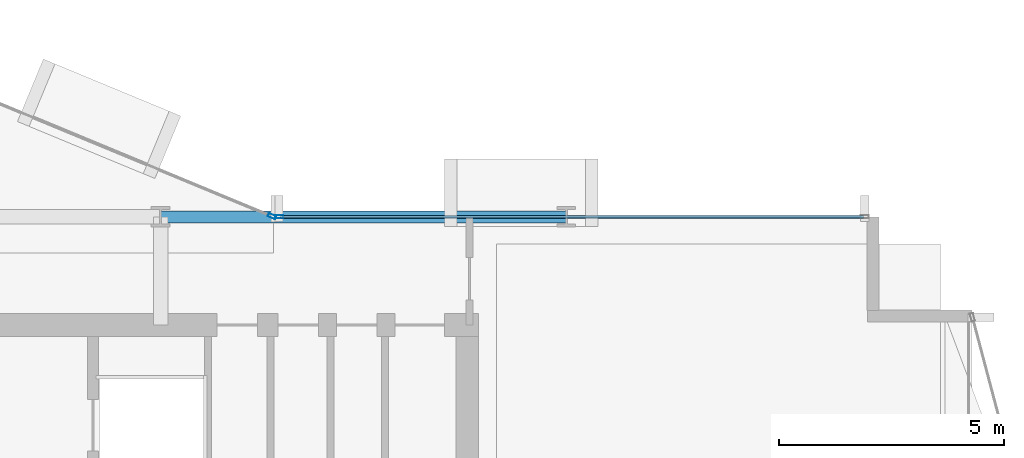
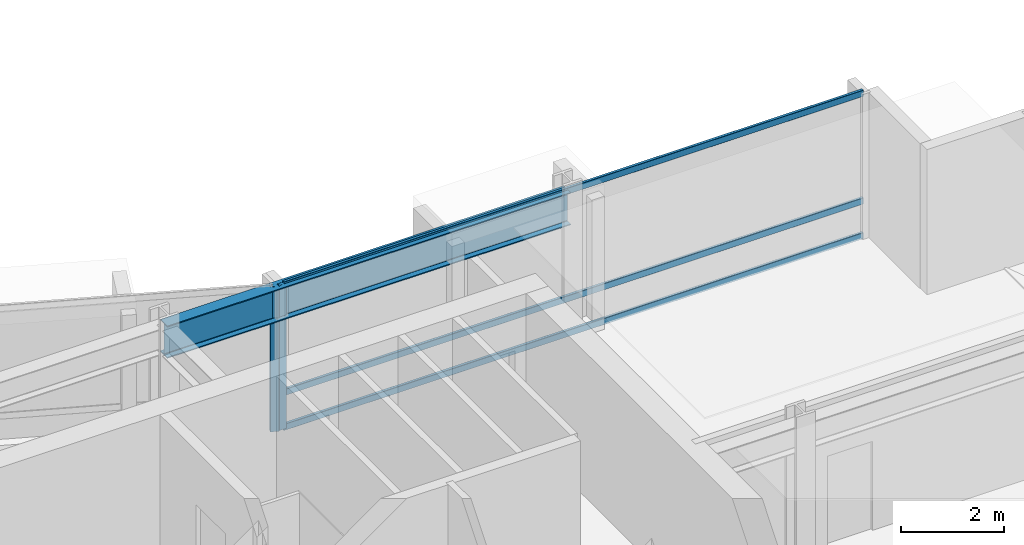
# One storey, part 13 of 28: 5 members, 1 beam, 2 elements without a shape of their own.
"""IFC4 building model written with IfcOpenShell, lengths in metres."""

import ifcopenshell
import ifcopenshell.guid

model = None  # the IFC model being written
_history = None  # IfcOwnerHistory: only IFC2X3 demands one
_inside = {}  # id of a spatial element -> (the spatial element, [elements in it])
_under = {}  # id of a project, library or spatial element -> (it, [spatial elements below it])
_declared = {}  # id of a project -> (the project, [libraries it declares])
_typed = {}  # id of a type object -> (the type object, [elements of that type])
_made_of = {}  # id of a material, layer set ... -> (it, [elements and type objects made of it])


def new_model(schema):
    """Start an empty IFC model of exactly this schema.

    Asked for "IFC4X3", IfcOpenShell would pick the latest addendum, in which some entities
    have other attributes; the version numbers below select the first issue.
    IFC2X3 requires an IfcOwnerHistory on every rooted entity: one is made here for all.
    """
    global model, _history
    if schema == "IFC4X3":
        model = ifcopenshell.file(schema_version=(4, 3, 0, 0))
    else:
        model = ifcopenshell.file(schema=schema)
    _inside.clear()
    _under.clear()
    _declared.clear()
    _typed.clear()
    _made_of.clear()
    _history = None
    if model.schema == "IFC2X3":
        org = make("IfcOrganization", Name="unknown")
        user = make(
            "IfcPersonAndOrganization",
            ThePerson=make("IfcPerson", FamilyName="unknown"),
            TheOrganization=org,
        )
        app = make(
            "IfcApplication",
            ApplicationDeveloper=org,
            Version="unknown",
            ApplicationFullName="unknown",
            ApplicationIdentifier="unknown",
        )
        _history = make(
            "IfcOwnerHistory",
            OwningUser=user,
            OwningApplication=app,
            ChangeAction="ADDED",
            CreationDate=0,
        )
    return model


def make(cls, **values):
    """One entity of the class cls with the attributes given. An attribute that is None is left unset."""
    return model.create_entity(
        cls, **{name: value for name, value in values.items() if value is not None}
    )


def rooted(cls, **values):
    """An entity with a GlobalId (a new one), such as an element, a storey or a relation."""
    return make(cls, GlobalId=ifcopenshell.guid.new(), OwnerHistory=_history, **values)


def si_unit(unit_type, name, prefix=None):
    """IfcSIUnit, for example si_unit("LENGTHUNIT", "METRE", prefix="MILLI")."""
    return make("IfcSIUnit", UnitType=unit_type, Prefix=prefix, Name=name)


def assignment(units):
    """IfcUnitAssignment: the units of a project."""
    return None if units is None else make("IfcUnitAssignment", Units=units)


def point(xyz):
    """IfcCartesianPoint."""
    return None if xyz is None else make("IfcCartesianPoint", Coordinates=xyz)


def direction(xyz):
    """IfcDirection."""
    return None if xyz is None else make("IfcDirection", DirectionRatios=xyz)


def frame(location, z_axis=None, x_axis=None):
    """IfcAxis2Placement3D, a coordinate frame: its origin and axes. An axis left out is left unset."""
    return make(
        "IfcAxis2Placement3D",
        Location=point(location),
        Axis=direction(z_axis),
        RefDirection=direction(x_axis),
    )


def frame_2d(location, x_axis=None):
    """IfcAxis2Placement2D, a coordinate frame in the plane: its origin and x axis."""
    return make(
        "IfcAxis2Placement2D", Location=point(location), RefDirection=direction(x_axis)
    )


def origin():
    """The frame at (0, 0, 0) with its axes left unset."""
    return frame((0.0, 0.0, 0.0))


def origin_2d():
    """The frame at (0, 0) in the plane with its x axis left unset."""
    return frame_2d((0.0, 0.0))


def place(relative_to, where):
    """IfcLocalPlacement: puts the frame where relative to a parent placement (None: the world)."""
    return make(
        "IfcLocalPlacement", PlacementRelTo=relative_to, RelativePlacement=where
    )


def context(
    kind, dimensions, precision=None, world=None, true_north=None, identifier=None
):
    """IfcGeometricRepresentationContext, for example the 3D "Model" context."""
    return make(
        "IfcGeometricRepresentationContext",
        ContextIdentifier=identifier,
        ContextType=kind,
        CoordinateSpaceDimension=dimensions,
        Precision=precision,
        WorldCoordinateSystem=world,
        TrueNorth=true_north,
    )


def subcontext(parent, identifier, kind, view, scale=None):
    """IfcGeometricRepresentationSubContext, for example "Body" below "Model"."""
    return make(
        "IfcGeometricRepresentationSubContext",
        ContextIdentifier=identifier,
        ContextType=kind,
        ParentContext=parent,
        TargetScale=scale,
        TargetView=view,
    )


def project(units=None, contexts=None):
    """IfcProject with its units and contexts."""
    return rooted(
        "IfcProject",
        Name="project",
        RepresentationContexts=contexts,
        UnitsInContext=assignment(units),
    )


def spatial(cls, under=None, at=None, **own):
    """A site, building, storey or space (cls), placed at a placement, below another one or the project."""
    s = rooted(cls, ObjectPlacement=at, **own)
    if under is not None:
        _under.setdefault(under.id(), (under, []))[1].append(s)
    return s


def profile(cls, at=None, kind="AREA", **sizes):
    """A parametric profile (cls). Its sizes go by their IFC names, for example OverallWidth=200.0."""
    return make(cls, ProfileType=kind, Position=at, **sizes)


def hollow_rectangle(**sizes):
    """IfcRectangleHollowProfileDef."""
    return profile("IfcRectangleHollowProfileDef", **sizes)


def i_section(**sizes):
    """IfcIShapeProfileDef."""
    return profile("IfcIShapeProfileDef", **sizes)


def extrude(swept, where, along, depth):
    """IfcExtrudedAreaSolid: the profile swept, set in the frame where, extruded along a direction by depth."""
    return make(
        "IfcExtrudedAreaSolid",
        SweptArea=swept,
        Position=where,
        ExtrudedDirection=direction(along),
        Depth=depth,
    )


def shape(context_of_items, identifier, shape_type, items):
    """IfcShapeRepresentation: the items that make up one representation, for example the "Body"."""
    return make(
        "IfcShapeRepresentation",
        ContextOfItems=context_of_items,
        RepresentationIdentifier=identifier,
        RepresentationType=shape_type,
        Items=items,
    )


def material(Name=None, Category=None):
    """IfcMaterial."""
    return make("IfcMaterial", Name=Name, Category=Category)


def layer(
    of_material, thickness, ventilated=None, Name=None, Category=None, Priority=None
):
    """IfcMaterialLayer: one layer of a wall or slab, of a material (None: an air gap)."""
    return make(
        "IfcMaterialLayer",
        Material=of_material,
        LayerThickness=thickness,
        IsVentilated=ventilated,
        Name=Name,
        Category=Category,
        Priority=Priority,
    )


def layer_set(layers, Name=None):
    """IfcMaterialLayerSet."""
    return make("IfcMaterialLayerSet", MaterialLayers=layers, LayerSetName=Name)


def material_profile(
    of_material, cross_section, Name=None, Category=None, Priority=None
):
    """IfcMaterialProfile: a cross section and its material."""
    return make(
        "IfcMaterialProfile",
        Name=Name,
        Material=of_material,
        Profile=cross_section,
        Priority=Priority,
        Category=Category,
    )


def profile_set(profiles, Name=None, composite=None):
    """IfcMaterialProfileSet."""
    return make(
        "IfcMaterialProfileSet",
        Name=Name,
        MaterialProfiles=profiles,
        CompositeProfile=composite,
    )


def made_of(thing, what):
    """Note that an element or type object is made of a material, layer set ...; save() writes the relation."""
    if what is not None:
        _made_of.setdefault(what.id(), (what, []))[1].append(thing)
    return thing


def type_object(cls, material=None, **own):
    """A type object (cls), such as IfcWallType, which elements share."""
    return made_of(rooted(cls, **own), material)


def element(
    cls,
    number,
    at=None,
    inside=None,
    cuts=None,
    type_object=None,
    material=None,
    context=None,
    identifier="Body",
    shape_type=None,
    held_by="IfcProductDefinitionShape",
    body=None,
    shapes=None,
    **own,
):
    """One element of the class cls, such as IfcWall. Its Tag is "e" and its number.

    at: its placement. inside: the storey or other place that contains it. cuts: it is an
    opening in that element (IfcRelVoidsElement). A single representation is given by context,
    identifier, shape_type and body (its items); several are given by shapes. held_by: the class
    of the entity that holds the representations. save() writes the other relations.
    """
    e = rooted(cls, Tag="e%d" % number, ObjectPlacement=at, **own)
    if body is not None:
        shapes = [shape(context, identifier, shape_type, body)]
    if shapes is not None:
        e.Representation = make(held_by, Representations=shapes)
    if inside is not None:
        _inside.setdefault(inside.id(), (inside, []))[1].append(e)
    if cuts is not None:
        rooted(
            "IfcRelVoidsElement", RelatingBuildingElement=cuts, RelatedOpeningElement=e
        )
    if type_object is not None:
        _typed.setdefault(type_object.id(), (type_object, []))[1].append(e)
    return made_of(e, material)


def aggregate(whole, parts):
    """IfcRelAggregates: a whole, such as a stair, and the parts it consists of."""
    return rooted("IfcRelAggregates", RelatingObject=whole, RelatedObjects=parts)


def save(model, path):
    """Write the relations noted so far, then the file.

    IfcRelAggregates (storeys below a building ...), IfcRelContainedInSpatialStructure (elements
    in a storey), IfcRelDefinesByType, IfcRelAssociatesMaterial and IfcRelDeclares: one each for
    every whole, place, type object, material and project.
    """
    for whole, parts in _under.values():
        aggregate(whole, parts)
    for where, things in _inside.values():
        rooted(
            "IfcRelContainedInSpatialStructure",
            RelatedElements=things,
            RelatingStructure=where,
        )
    for kind, things in _typed.values():
        rooted("IfcRelDefinesByType", RelatedObjects=things, RelatingType=kind)
    for what, things in _made_of.values():
        rooted("IfcRelAssociatesMaterial", RelatedObjects=things, RelatingMaterial=what)
    for by, libraries in _declared.values():
        rooted("IfcRelDeclares", RelatingContext=by, RelatedDefinitions=libraries)
    model.write(path)


model = new_model("IFC4")

# Units and contexts
model_context = context("Model", 3, precision=1e-05, world=origin(), true_north=direction((0.0, 1.0)))
body_context = subcontext(model_context, "Body", "Model", "MODEL_VIEW")
ifc_project = project(units=[si_unit("LENGTHUNIT", "METRE"), si_unit("AREAUNIT", "SQUARE_METRE"), si_unit("VOLUMEUNIT", "CUBIC_METRE"), si_unit("PLANEANGLEUNIT", "RADIAN"), si_unit("MASSUNIT", "GRAM", prefix="KILO")], contexts=[model_context])

# Site, building, storey
site_placement = place(None, origin())
site = spatial("IfcSite", under=ifc_project, at=site_placement, CompositionType="ELEMENT")
building_placement = place(site_placement, origin())
building = spatial("IfcBuilding", under=site, at=building_placement, Name="Solvaryn Broadcast Tower", CompositionType="ELEMENT")
storey_placement = place(building_placement, frame((0.0, 0.0, 135.89990234375)))
storey = spatial("IfcBuildingStorey", under=building, at=storey_placement, Name="L33", CompositionType="ELEMENT", Elevation=135.89990234375)

# Beam
ifc_material_1 = material(Name="Steel ASTM A992 Grade 50", Category="steel")
ifc_material_profile_1 = material_profile(ifc_material_1, i_section(OverallWidth=0.26708984375, OverallDepth=0.76611328125, WebThickness=0.014892578125, FlangeThickness=0.023681640625, FilletRadius=0.01806640625, at=origin_2d()))
ifc_profile_set_1 = profile_set([ifc_material_profile_1], Name="Steel ASTM A992 Grade 50")
beam_type = type_object("IfcBeamType", Name="BM-SP2-W30X124", PredefinedType="USERDEFINED", material=ifc_profile_set_1)
beam_placement = place(storey_placement, frame((36.0, 27.0, 3.037109375), z_axis=(1.0, 0.0, 0.0), x_axis=(0.0, 1.0, 0.0)))
element("IfcBeam", 1, at=beam_placement, inside=storey, type_object=beam_type, Name="L33 Spandrel Beam X (36-45 @ Y=27)", ObjectType="SPANDREL", PredefinedType="USERDEFINED", context=body_context, shape_type="SweptSolid", body=[
    extrude(i_section(OverallWidth=0.26708984375, OverallDepth=0.76611328125, WebThickness=0.014892578125, FlangeThickness=0.023681640625, FilletRadius=0.01806640625, at=origin_2d()), origin(), (0.0, 0.0, 1.0), 9.0),
])

# Curtain wall, member
ifc_material_2 = material(Name="Aluminium and Terracotta Unitised Curtain Wall", Category="masonry")
ifc_layer = layer(ifc_material_2, 0.199951171875)
ifc_layer_set = layer_set([ifc_layer], Name="CW-SYS2-LOWMID")
curtain_wall_type = type_object("IfcCurtainWallType", Name="CW-SYS2-LOWMID", PredefinedType="NOTDEFINED", material=ifc_layer_set)
curtain_wall_1_placement = place(storey_placement, origin())
curtain_wall_1 = element("IfcCurtainWall", 2, at=curtain_wall_1_placement, inside=storey, type_object=curtain_wall_type, Name="L33 Curtain Wall CN1", PredefinedType="NOTDEFINED")
ifc_material_3 = material(Name="Anodised Aluminium 6063-T6", Category="aluminium")
ifc_material_profile_2 = material_profile(ifc_material_3, hollow_rectangle(XDim=0.074951171875, YDim=0.179931640625, WallThickness=0.00390625, InnerFilletRadius=0.00390625, OuterFilletRadius=0.008056640625, at=origin_2d()))
ifc_profile_set_2 = profile_set([ifc_material_profile_2], Name="Anodised Aluminium 6063-T6")
member_type_1 = type_object("IfcMemberType", Name="CW-MUL-180", PredefinedType="MULLION", material=ifc_profile_set_2)
member_1_placement = place(storey_placement, frame((38.47216796875, 27.011474609375, 0.0), z_axis=(0.0, 0.0, 1.0), x_axis=(-0.382646127145, -0.923894983957, 0.0)))
member_1 = element("IfcMember", 3, at=member_1_placement, type_object=member_type_1, Name="CWS2 mullion 1", PredefinedType="MULLION", context=body_context, shape_type="SweptSolid", body=[
    extrude(hollow_rectangle(XDim=0.074951171875, YDim=0.179931640625, WallThickness=0.00390625, InnerFilletRadius=0.00390625, OuterFilletRadius=0.008056640625, at=origin_2d()), origin(), (0.0, 0.0, 1.0), 3.420166015625),
])
aggregate(curtain_wall_1, [member_1])

# Curtain wall, members
curtain_wall_2_placement = place(storey_placement, origin())
curtain_wall_2 = element("IfcCurtainWall", 4, at=curtain_wall_2_placement, inside=storey, type_object=curtain_wall_type, Name="L33 Curtain Wall IH", PredefinedType="NOTDEFINED")
member_2_placement = place(storey_placement, frame((38.6298828125, 27.0, 0.0), z_axis=(0.0, 0.0, 1.0), x_axis=(0.0, 1.0, 0.0)))
member_2 = element("IfcMember", 5, at=member_2_placement, type_object=member_type_1, Name="CWS2 mullion 1", PredefinedType="MULLION", context=body_context, shape_type="SweptSolid", body=[
    extrude(hollow_rectangle(XDim=0.074951171875, YDim=0.179931640625, WallThickness=0.00390625, InnerFilletRadius=0.00390625, OuterFilletRadius=0.008056640625, at=origin_2d()), origin(), (0.0, 0.0, 1.0), 3.420166015625),
])
ifc_material_4 = material(Name="Anodised Aluminium 6063-T6", Category="aluminium")
ifc_material_profile_3 = material_profile(ifc_material_4, hollow_rectangle(XDim=0.06494140625, YDim=0.14990234375, WallThickness=0.00390625, InnerFilletRadius=0.00390625, OuterFilletRadius=0.008056640625, at=origin_2d()))
ifc_profile_set_3 = profile_set([ifc_material_profile_3], Name="Anodised Aluminium 6063-T6")
member_type_2 = type_object("IfcMemberType", Name="CW-TRN-150", PredefinedType="USERDEFINED", material=ifc_profile_set_3)
member_3_placement = place(storey_placement, frame((38.659912109375, 27.0, 0.030029296875), z_axis=(1.0, 0.0, 0.0), x_axis=(0.0, 1.0, 0.0)))
member_3 = element("IfcMember", 6, at=member_3_placement, type_object=member_type_2, Name="CWS2 transom 1.1", ObjectType="TRANSOM", PredefinedType="USERDEFINED", context=body_context, shape_type="SweptSolid", body=[
    extrude(hollow_rectangle(XDim=0.06494140625, YDim=0.14990234375, WallThickness=0.00390625, InnerFilletRadius=0.00390625, OuterFilletRadius=0.008056640625, at=origin_2d()), origin(), (0.0, 0.0, 1.0), 12.93017578125),
])
member_4_placement = place(storey_placement, frame((38.659912109375, 27.0, 0.85009765625), z_axis=(1.0, 0.0, 0.0), x_axis=(0.0, 1.0, 0.0)))
member_4 = element("IfcMember", 7, at=member_4_placement, type_object=member_type_2, Name="CWS2 transom 1.2", ObjectType="TRANSOM", PredefinedType="USERDEFINED", context=body_context, shape_type="SweptSolid", body=[
    extrude(hollow_rectangle(XDim=0.06494140625, YDim=0.14990234375, WallThickness=0.00390625, InnerFilletRadius=0.00390625, OuterFilletRadius=0.008056640625, at=origin_2d()), origin(), (0.0, 0.0, 1.0), 12.93017578125),
])
member_5_placement = place(storey_placement, frame((38.659912109375, 27.0, 3.39013671875), z_axis=(1.0, 0.0, 0.0), x_axis=(0.0, 1.0, 0.0)))
member_5 = element("IfcMember", 8, at=member_5_placement, type_object=member_type_2, Name="CWS2 transom 1.3", ObjectType="TRANSOM", PredefinedType="USERDEFINED", context=body_context, shape_type="SweptSolid", body=[
    extrude(hollow_rectangle(XDim=0.06494140625, YDim=0.14990234375, WallThickness=0.00390625, InnerFilletRadius=0.00390625, OuterFilletRadius=0.008056640625, at=origin_2d()), origin(), (0.0, 0.0, 1.0), 12.93017578125),
])
aggregate(curtain_wall_2, [member_2, member_3, member_4, member_5])

save(model, "model.ifc")
